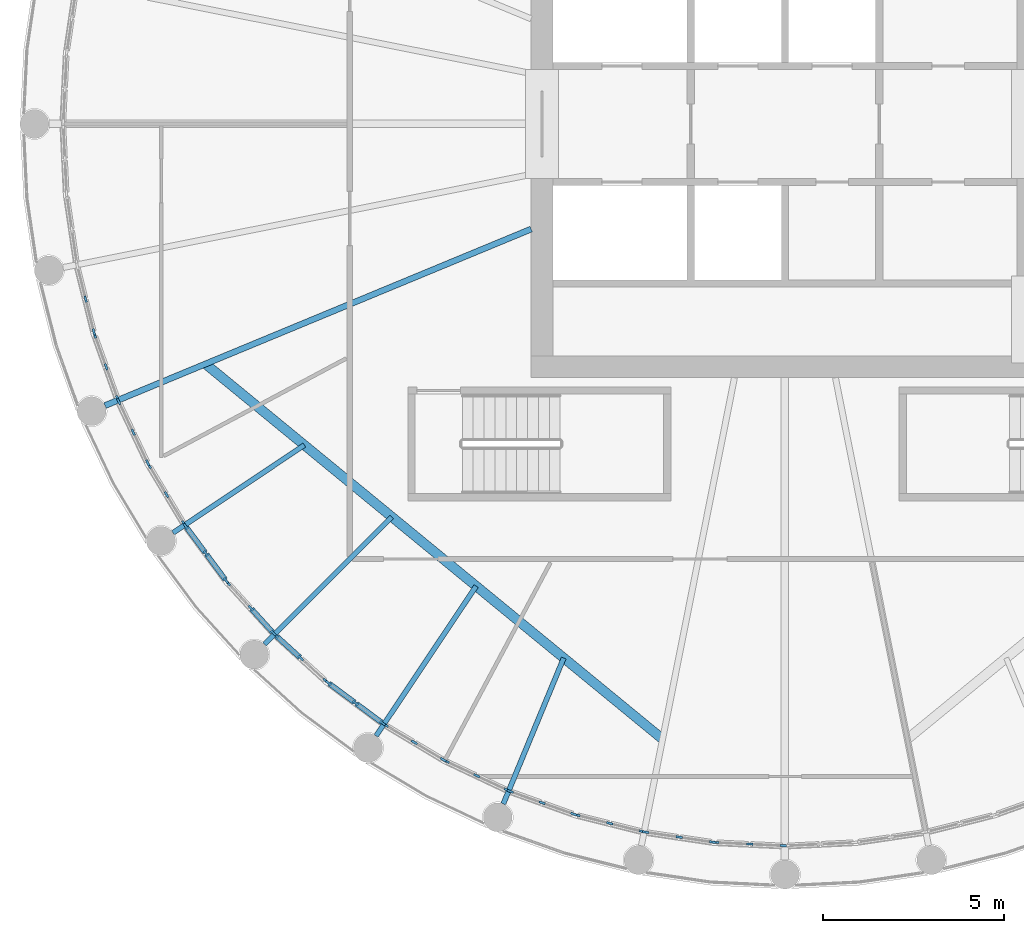
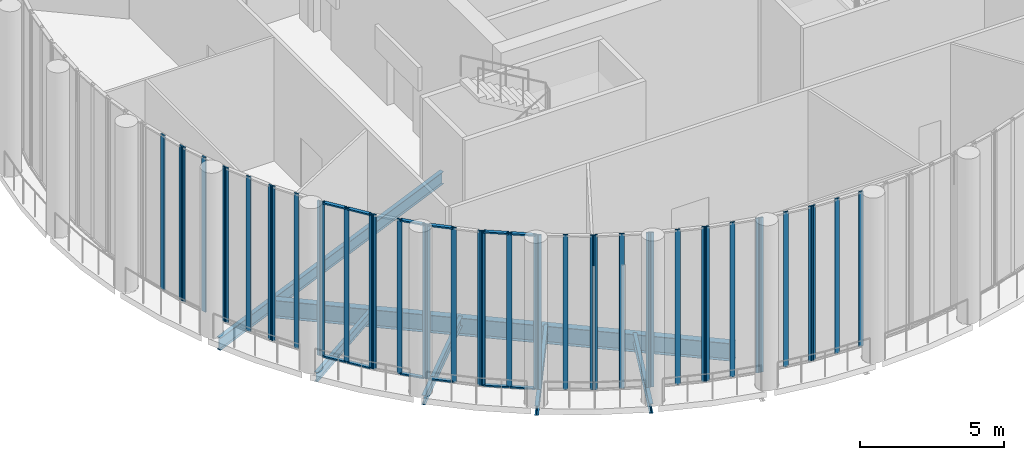
# One storey, part 2 of 21: 53 members, 6 beams, 14 elements without a shape of their own.
"""IFC4 building model written with IfcOpenShell, lengths in metres."""

from ifc_helpers import new_model, si_unit, direction, frame, origin, origin_2d, place, context, subcontext, project, spatial, rectangle, i_section, extrude, material, material_profile, profile_set, type_object, element, aggregate, save


model = new_model("IFC4")

# Units and contexts
model_context = context("Model", 3, precision=1e-05, world=origin(), true_north=direction((0.0, 1.0)))
body_context = subcontext(model_context, "Body", "Model", "MODEL_VIEW")
ifc_project = project(units=[si_unit("LENGTHUNIT", "METRE"), si_unit("AREAUNIT", "SQUARE_METRE"), si_unit("VOLUMEUNIT", "CUBIC_METRE"), si_unit("PLANEANGLEUNIT", "RADIAN"), si_unit("MASSUNIT", "GRAM", prefix="KILO")], contexts=[model_context])

# Site, building, storey
site_placement = place(None, origin())
site = spatial("IfcSite", under=ifc_project, at=site_placement, CompositionType="ELEMENT")
building_placement = place(site_placement, origin())
building = spatial("IfcBuilding", under=site, at=building_placement, Name="Corvane Civic Tower", CompositionType="ELEMENT")
storey_placement = place(building_placement, frame((0.0, 0.0, 380.5)))
storey = spatial("IfcBuildingStorey", under=building, at=storey_placement, Name="L91", CompositionType="ELEMENT", Elevation=380.5)

# Curtain wall, members
ifc_material_1 = material(Name="Aluminium and glass", Category="aluminium")
curtain_wall_type = type_object("IfcCurtainWallType", Name="CROWN-CW-O-RUN", PredefinedType="NOTDEFINED", material=ifc_material_1)
curtain_wall_1_placement = place(storey_placement, origin())
curtain_wall_1 = element("IfcCurtainWall", 1, at=curtain_wall_1_placement, inside=storey, type_object=curtain_wall_type, Name="CW-O run L91 19", PredefinedType="NOTDEFINED")
ifc_material_2 = material(Name="Anodised aluminium bronze", Category="aluminium")
ifc_material_profile_1 = material_profile(ifc_material_2, rectangle(XDim=0.06005859375, YDim=0.179931640625, at=origin_2d()), Name="AL 60x180")
ifc_profile_set_1 = profile_set([ifc_material_profile_1], Name="Anodised aluminium bronze")
member_type_1 = type_object("IfcMemberType", Name="CROWN-CWO-MULLION-60x180", PredefinedType="MULLION", material=ifc_profile_set_1)
member_1_placement = place(storey_placement, frame((-19.2900390625, -4.831787109375, 0.0), z_axis=(0.0, 0.0, 1.0), x_axis=(0.970038385347, 0.242951704982, 0.0)))
member_1 = element("IfcMember", 2, at=member_1_placement, type_object=member_type_1, Name="CW-O mullion 2", PredefinedType="MULLION", context=body_context, shape_type="SweptSolid", body=[
    extrude(rectangle(XDim=0.06005859375, YDim=0.179931640625, at=origin_2d()), origin(), (0.0, 0.0, 1.0), 6.550048828125),
])
member_2_placement = place(storey_placement, frame((-19.063720703125, -5.7353515625, 0.0), z_axis=(0.0, 0.0, 1.0), x_axis=(0.970038385347, 0.242951704982, 0.0)))
member_2 = element("IfcMember", 3, at=member_2_placement, type_object=member_type_1, Name="CW-O mullion 3", PredefinedType="MULLION", context=body_context, shape_type="SweptSolid", body=[
    extrude(rectangle(XDim=0.06005859375, YDim=0.179931640625, at=origin_2d()), origin(), (0.0, 0.0, 1.0), 6.550048828125),
])
aggregate(curtain_wall_1, [member_1, member_2])

curtain_wall_2_placement = place(storey_placement, origin())
curtain_wall_2 = element("IfcCurtainWall", 4, at=curtain_wall_2_placement, inside=storey, type_object=curtain_wall_type, Name="CW-O run L91 20", PredefinedType="NOTDEFINED")
member_3_placement = place(storey_placement, frame((-19.037353515625, -5.822509765625, 0.0), z_axis=(0.0, 0.0, 1.0), x_axis=(0.941511051216, 0.336982106999, 0.0)))
member_3 = element("IfcMember", 5, at=member_3_placement, type_object=member_type_1, Name="CW-O mullion 1", PredefinedType="MULLION", context=body_context, shape_type="SweptSolid", body=[
    extrude(rectangle(XDim=0.06005859375, YDim=0.179931640625, at=origin_2d()), origin(), (0.0, 0.0, 1.0), 6.550048828125),
])
member_4_placement = place(storey_placement, frame((-18.723388671875, -6.69921875, 0.0), z_axis=(0.0, 0.0, 1.0), x_axis=(0.941511051216, 0.336982106999, 0.0)))
member_4 = element("IfcMember", 6, at=member_4_placement, type_object=member_type_1, Name="CW-O mullion 2", PredefinedType="MULLION", context=body_context, shape_type="SweptSolid", body=[
    extrude(rectangle(XDim=0.06005859375, YDim=0.179931640625, at=origin_2d()), origin(), (0.0, 0.0, 1.0), 6.550048828125),
])
member_5_placement = place(storey_placement, frame((-18.40966796875, -7.576171875, 0.0), z_axis=(0.0, 0.0, 1.0), x_axis=(0.941511051216, 0.336982106999, 0.0)))
member_5 = element("IfcMember", 7, at=member_5_placement, type_object=member_type_1, Name="CW-O mullion 3", PredefinedType="MULLION", context=body_context, shape_type="SweptSolid", body=[
    extrude(rectangle(XDim=0.06005859375, YDim=0.179931640625, at=origin_2d()), origin(), (0.0, 0.0, 1.0), 6.550048828125),
])
aggregate(curtain_wall_2, [member_3, member_4, member_5])

curtain_wall_3_placement = place(storey_placement, origin())
curtain_wall_3 = element("IfcCurtainWall", 8, at=curtain_wall_3_placement, inside=storey, type_object=curtain_wall_type, Name="CW-O run L91 21", PredefinedType="NOTDEFINED")
member_6_placement = place(storey_placement, frame((-18.374755859375, -7.660400390625, 0.0), z_axis=(0.0, 0.0, 1.0), x_axis=(0.904010875684, 0.427509457959, 0.0)))
member_6 = element("IfcMember", 9, at=member_6_placement, type_object=member_type_1, Name="CW-O mullion 1", PredefinedType="MULLION", context=body_context, shape_type="SweptSolid", body=[
    extrude(rectangle(XDim=0.06005859375, YDim=0.179931640625, at=origin_2d()), origin(), (0.0, 0.0, 1.0), 6.550048828125),
])
member_7_placement = place(storey_placement, frame((-17.9765625, -8.502197265625, 0.0), z_axis=(0.0, 0.0, 1.0), x_axis=(0.904010875684, 0.427509457959, 0.0)))
member_7 = element("IfcMember", 10, at=member_7_placement, type_object=member_type_1, Name="CW-O mullion 2", PredefinedType="MULLION", context=body_context, shape_type="SweptSolid", body=[
    extrude(rectangle(XDim=0.06005859375, YDim=0.179931640625, at=origin_2d()), origin(), (0.0, 0.0, 1.0), 6.550048828125),
])
member_8_placement = place(storey_placement, frame((-17.578369140625, -9.34423828125, 0.0), z_axis=(0.0, 0.0, 1.0), x_axis=(0.904010875684, 0.427509457959, 0.0)))
member_8 = element("IfcMember", 11, at=member_8_placement, type_object=member_type_1, Name="CW-O mullion 3", PredefinedType="MULLION", context=body_context, shape_type="SweptSolid", body=[
    extrude(rectangle(XDim=0.06005859375, YDim=0.179931640625, at=origin_2d()), origin(), (0.0, 0.0, 1.0), 6.550048828125),
])
aggregate(curtain_wall_3, [member_6, member_7, member_8])

curtain_wall_4_placement = place(storey_placement, origin())
curtain_wall_4 = element("IfcCurtainWall", 12, at=curtain_wall_4_placement, inside=storey, type_object=curtain_wall_type, Name="CW-O run L91 22", PredefinedType="NOTDEFINED")
member_9_placement = place(storey_placement, frame((-17.53564453125, -9.424560546875, 0.0), z_axis=(0.0, 0.0, 1.0), x_axis=(0.857699380043, 0.514151508287, 0.0)))
member_9 = element("IfcMember", 13, at=member_9_placement, type_object=member_type_1, Name="CW-O mullion 1", PredefinedType="MULLION", context=body_context, shape_type="SweptSolid", body=[
    extrude(rectangle(XDim=0.06005859375, YDim=0.179931640625, at=origin_2d()), origin(), (0.0, 0.0, 1.0), 6.550048828125),
])
member_10_placement = place(storey_placement, frame((-17.056640625, -10.223388671875, 0.0), z_axis=(0.0, 0.0, 1.0), x_axis=(0.857699380043, 0.514151508287, 0.0)))
member_10 = element("IfcMember", 14, at=member_10_placement, type_object=member_type_1, Name="CW-O mullion 2", PredefinedType="MULLION", context=body_context, shape_type="SweptSolid", body=[
    extrude(rectangle(XDim=0.06005859375, YDim=0.179931640625, at=origin_2d()), origin(), (0.0, 0.0, 1.0), 6.550048828125),
])
member_11_placement = place(storey_placement, frame((-16.577880859375, -11.022216796875, 0.0), z_axis=(0.0, 0.0, 1.0), x_axis=(0.857699380043, 0.514151508287, 0.0)))
member_11 = element("IfcMember", 15, at=member_11_placement, type_object=member_type_1, Name="CW-O mullion 3", PredefinedType="MULLION", context=body_context, shape_type="SweptSolid", body=[
    extrude(rectangle(XDim=0.06005859375, YDim=0.179931640625, at=origin_2d()), origin(), (0.0, 0.0, 1.0), 6.550048828125),
])
aggregate(curtain_wall_4, [member_9, member_10, member_11])

curtain_wall_5_placement = place(storey_placement, origin())
curtain_wall_5 = element("IfcCurtainWall", 16, at=curtain_wall_5_placement, inside=storey, type_object=curtain_wall_type, Name="CW-O run L91 23", PredefinedType="NOTDEFINED")
member_12_placement = place(storey_placement, frame((-16.52734375, -11.097900390625, 0.0), z_axis=(0.0, 0.0, 1.0), x_axis=(0.803190345058, 0.595722477003, 0.0)))
member_12 = element("IfcMember", 17, at=member_12_placement, type_object=member_type_1, Name="CW-O mullion 1", PredefinedType="MULLION", context=body_context, shape_type="SweptSolid", body=[
    extrude(rectangle(XDim=0.06005859375, YDim=0.179931640625, at=origin_2d()), origin(), (0.0, 0.0, 1.0), 6.550048828125),
])
member_13_placement = place(storey_placement, frame((-15.972412109375, -11.845947265625, 0.0), z_axis=(0.0, 0.0, 1.0), x_axis=(0.803190345058, 0.595722477003, 0.0)))
member_13 = element("IfcMember", 18, at=member_13_placement, type_object=member_type_1, Name="CW-O mullion 2", PredefinedType="MULLION", context=body_context, shape_type="SweptSolid", body=[
    extrude(rectangle(XDim=0.06005859375, YDim=0.179931640625, at=origin_2d()), origin(), (0.0, 0.0, 1.0), 6.550048828125),
])
member_14_placement = place(storey_placement, frame((-15.417724609375, -12.593994140625, 0.0), z_axis=(0.0, 0.0, 1.0), x_axis=(0.803190345058, 0.595722477003, 0.0)))
member_14 = element("IfcMember", 19, at=member_14_placement, type_object=member_type_1, Name="CW-O mullion 3", PredefinedType="MULLION", context=body_context, shape_type="SweptSolid", body=[
    extrude(rectangle(XDim=0.06005859375, YDim=0.179931640625, at=origin_2d()), origin(), (0.0, 0.0, 1.0), 6.550048828125),
])

curtain_wall_6_placement = place(storey_placement, origin())
curtain_wall_6 = element("IfcCurtainWall", 20, at=curtain_wall_6_placement, inside=storey, type_object=curtain_wall_type, Name="CW-O run L91 24", PredefinedType="NOTDEFINED")
member_15_placement = place(storey_placement, frame((-15.35986328125, -12.664306640625, 0.0), z_axis=(0.0, 0.0, 1.0), x_axis=(0.740944089448, 0.671566717692, 0.0)))
member_15 = element("IfcMember", 21, at=member_15_placement, type_object=member_type_1, Name="CW-O mullion 1", PredefinedType="MULLION", context=body_context, shape_type="SweptSolid", body=[
    extrude(rectangle(XDim=0.06005859375, YDim=0.179931640625, at=origin_2d()), origin(), (0.0, 0.0, 1.0), 6.550048828125),
])
member_16_placement = place(storey_placement, frame((-14.734375, -13.3544921875, 0.0), z_axis=(0.0, 0.0, 1.0), x_axis=(0.740944089448, 0.671566717692, 0.0)))
member_16 = element("IfcMember", 22, at=member_16_placement, type_object=member_type_1, Name="CW-O mullion 2", PredefinedType="MULLION", context=body_context, shape_type="SweptSolid", body=[
    extrude(rectangle(XDim=0.06005859375, YDim=0.179931640625, at=origin_2d()), origin(), (0.0, 0.0, 1.0), 6.550048828125),
])
member_17_placement = place(storey_placement, frame((-14.10888671875, -14.044677734375, 0.0), z_axis=(0.0, 0.0, 1.0), x_axis=(0.740944089448, 0.671566717692, 0.0)))
member_17 = element("IfcMember", 23, at=member_17_placement, type_object=member_type_1, Name="CW-O mullion 3", PredefinedType="MULLION", context=body_context, shape_type="SweptSolid", body=[
    extrude(rectangle(XDim=0.06005859375, YDim=0.179931640625, at=origin_2d()), origin(), (0.0, 0.0, 1.0), 6.550048828125),
])

curtain_wall_7_placement = place(storey_placement, origin())
curtain_wall_7 = element("IfcCurtainWall", 24, at=curtain_wall_7_placement, inside=storey, type_object=curtain_wall_type, Name="CW-O run L91 25", PredefinedType="NOTDEFINED")
member_18_placement = place(storey_placement, frame((-14.044677734375, -14.10888671875, 0.0), z_axis=(0.0, 0.0, 1.0), x_axis=(0.671566717692, 0.740944089448, 0.0)))
member_18 = element("IfcMember", 25, at=member_18_placement, type_object=member_type_1, Name="CW-O mullion 1", PredefinedType="MULLION", context=body_context, shape_type="SweptSolid", body=[
    extrude(rectangle(XDim=0.06005859375, YDim=0.179931640625, at=origin_2d()), origin(), (0.0, 0.0, 1.0), 6.550048828125),
])
member_19_placement = place(storey_placement, frame((-13.3544921875, -14.734375, 0.0), z_axis=(0.0, 0.0, 1.0), x_axis=(0.671566717692, 0.740944089448, 0.0)))
member_19 = element("IfcMember", 26, at=member_19_placement, type_object=member_type_1, Name="CW-O mullion 2", PredefinedType="MULLION", context=body_context, shape_type="SweptSolid", body=[
    extrude(rectangle(XDim=0.06005859375, YDim=0.179931640625, at=origin_2d()), origin(), (0.0, 0.0, 1.0), 6.550048828125),
])
member_20_placement = place(storey_placement, frame((-12.664306640625, -15.35986328125, 0.0), z_axis=(0.0, 0.0, 1.0), x_axis=(0.671566717692, 0.740944089448, 0.0)))
member_20 = element("IfcMember", 27, at=member_20_placement, type_object=member_type_1, Name="CW-O mullion 3", PredefinedType="MULLION", context=body_context, shape_type="SweptSolid", body=[
    extrude(rectangle(XDim=0.06005859375, YDim=0.179931640625, at=origin_2d()), origin(), (0.0, 0.0, 1.0), 6.550048828125),
])

curtain_wall_8_placement = place(storey_placement, origin())
curtain_wall_8 = element("IfcCurtainWall", 28, at=curtain_wall_8_placement, inside=storey, type_object=curtain_wall_type, Name="CW-O run L91 26", PredefinedType="NOTDEFINED")
member_21_placement = place(storey_placement, frame((-12.593994140625, -15.417724609375, 0.0), z_axis=(0.0, 0.0, 1.0), x_axis=(0.595722477003, 0.803190345058, 0.0)))
member_21 = element("IfcMember", 29, at=member_21_placement, type_object=member_type_1, Name="CW-O mullion 1", PredefinedType="MULLION", context=body_context, shape_type="SweptSolid", body=[
    extrude(rectangle(XDim=0.06005859375, YDim=0.179931640625, at=origin_2d()), origin(), (0.0, 0.0, 1.0), 6.550048828125),
])
member_22_placement = place(storey_placement, frame((-11.845947265625, -15.972412109375, 0.0), z_axis=(0.0, 0.0, 1.0), x_axis=(0.595722477003, 0.803190345058, 0.0)))
member_22 = element("IfcMember", 30, at=member_22_placement, type_object=member_type_1, Name="CW-O mullion 2", PredefinedType="MULLION", context=body_context, shape_type="SweptSolid", body=[
    extrude(rectangle(XDim=0.06005859375, YDim=0.179931640625, at=origin_2d()), origin(), (0.0, 0.0, 1.0), 6.550048828125),
])
member_23_placement = place(storey_placement, frame((-11.097900390625, -16.52734375, 0.0), z_axis=(0.0, 0.0, 1.0), x_axis=(0.595722477003, 0.803190345058, 0.0)))
member_23 = element("IfcMember", 31, at=member_23_placement, type_object=member_type_1, Name="CW-O mullion 3", PredefinedType="MULLION", context=body_context, shape_type="SweptSolid", body=[
    extrude(rectangle(XDim=0.06005859375, YDim=0.179931640625, at=origin_2d()), origin(), (0.0, 0.0, 1.0), 6.550048828125),
])

curtain_wall_9_placement = place(storey_placement, origin())
curtain_wall_9 = element("IfcCurtainWall", 32, at=curtain_wall_9_placement, inside=storey, type_object=curtain_wall_type, Name="CW-O run L91 27", PredefinedType="NOTDEFINED")
member_24_placement = place(storey_placement, frame((-11.022216796875, -16.577880859375, 0.0), z_axis=(0.0, 0.0, 1.0), x_axis=(0.514151508287, 0.857699380043, 0.0)))
member_24 = element("IfcMember", 33, at=member_24_placement, type_object=member_type_1, Name="CW-O mullion 1", PredefinedType="MULLION", context=body_context, shape_type="SweptSolid", body=[
    extrude(rectangle(XDim=0.06005859375, YDim=0.179931640625, at=origin_2d()), origin(), (0.0, 0.0, 1.0), 6.550048828125),
])
member_25_placement = place(storey_placement, frame((-10.223388671875, -17.056640625, 0.0), z_axis=(0.0, 0.0, 1.0), x_axis=(0.514151508287, 0.857699380043, 0.0)))
member_25 = element("IfcMember", 34, at=member_25_placement, type_object=member_type_1, Name="CW-O mullion 2", PredefinedType="MULLION", context=body_context, shape_type="SweptSolid", body=[
    extrude(rectangle(XDim=0.06005859375, YDim=0.179931640625, at=origin_2d()), origin(), (0.0, 0.0, 1.0), 6.550048828125),
])
member_26_placement = place(storey_placement, frame((-9.424560546875, -17.53564453125, 0.0), z_axis=(0.0, 0.0, 1.0), x_axis=(0.514151508287, 0.857699380043, 0.0)))
member_26 = element("IfcMember", 35, at=member_26_placement, type_object=member_type_1, Name="CW-O mullion 3", PredefinedType="MULLION", context=body_context, shape_type="SweptSolid", body=[
    extrude(rectangle(XDim=0.06005859375, YDim=0.179931640625, at=origin_2d()), origin(), (0.0, 0.0, 1.0), 6.550048828125),
])
aggregate(curtain_wall_9, [member_24, member_25, member_26])

curtain_wall_10_placement = place(storey_placement, origin())
curtain_wall_10 = element("IfcCurtainWall", 36, at=curtain_wall_10_placement, inside=storey, type_object=curtain_wall_type, Name="CW-O run L91 28", PredefinedType="NOTDEFINED")
member_27_placement = place(storey_placement, frame((-9.34423828125, -17.578369140625, 0.0), z_axis=(0.0, 0.0, 1.0), x_axis=(0.427509457959, 0.904010875684, 0.0)))
member_27 = element("IfcMember", 37, at=member_27_placement, type_object=member_type_1, Name="CW-O mullion 1", PredefinedType="MULLION", context=body_context, shape_type="SweptSolid", body=[
    extrude(rectangle(XDim=0.06005859375, YDim=0.179931640625, at=origin_2d()), origin(), (0.0, 0.0, 1.0), 6.550048828125),
])
member_28_placement = place(storey_placement, frame((-8.502197265625, -17.9765625, 0.0), z_axis=(0.0, 0.0, 1.0), x_axis=(0.427509457959, 0.904010875684, 0.0)))
member_28 = element("IfcMember", 38, at=member_28_placement, type_object=member_type_1, Name="CW-O mullion 2", PredefinedType="MULLION", context=body_context, shape_type="SweptSolid", body=[
    extrude(rectangle(XDim=0.06005859375, YDim=0.179931640625, at=origin_2d()), origin(), (0.0, 0.0, 1.0), 6.550048828125),
])
member_29_placement = place(storey_placement, frame((-7.660400390625, -18.374755859375, 0.0), z_axis=(0.0, 0.0, 1.0), x_axis=(0.427509457959, 0.904010875684, 0.0)))
member_29 = element("IfcMember", 39, at=member_29_placement, type_object=member_type_1, Name="CW-O mullion 3", PredefinedType="MULLION", context=body_context, shape_type="SweptSolid", body=[
    extrude(rectangle(XDim=0.06005859375, YDim=0.179931640625, at=origin_2d()), origin(), (0.0, 0.0, 1.0), 6.550048828125),
])
aggregate(curtain_wall_10, [member_27, member_28, member_29])

curtain_wall_11_placement = place(storey_placement, origin())
curtain_wall_11 = element("IfcCurtainWall", 40, at=curtain_wall_11_placement, inside=storey, type_object=curtain_wall_type, Name="CW-O run L91 29", PredefinedType="NOTDEFINED")
member_30_placement = place(storey_placement, frame((-7.576171875, -18.40966796875, 0.0), z_axis=(0.0, 0.0, 1.0), x_axis=(0.336982106999, 0.941511051216, 0.0)))
member_30 = element("IfcMember", 41, at=member_30_placement, type_object=member_type_1, Name="CW-O mullion 1", PredefinedType="MULLION", context=body_context, shape_type="SweptSolid", body=[
    extrude(rectangle(XDim=0.06005859375, YDim=0.179931640625, at=origin_2d()), origin(), (0.0, 0.0, 1.0), 6.550048828125),
])
member_31_placement = place(storey_placement, frame((-6.69921875, -18.723388671875, 0.0), z_axis=(0.0, 0.0, 1.0), x_axis=(0.336982106999, 0.941511051216, 0.0)))
member_31 = element("IfcMember", 42, at=member_31_placement, type_object=member_type_1, Name="CW-O mullion 2", PredefinedType="MULLION", context=body_context, shape_type="SweptSolid", body=[
    extrude(rectangle(XDim=0.06005859375, YDim=0.179931640625, at=origin_2d()), origin(), (0.0, 0.0, 1.0), 6.550048828125),
])
member_32_placement = place(storey_placement, frame((-5.822509765625, -19.037353515625, 0.0), z_axis=(0.0, 0.0, 1.0), x_axis=(0.336982106999, 0.941511051216, 0.0)))
member_32 = element("IfcMember", 43, at=member_32_placement, type_object=member_type_1, Name="CW-O mullion 3", PredefinedType="MULLION", context=body_context, shape_type="SweptSolid", body=[
    extrude(rectangle(XDim=0.06005859375, YDim=0.179931640625, at=origin_2d()), origin(), (0.0, 0.0, 1.0), 6.550048828125),
])
aggregate(curtain_wall_11, [member_30, member_31, member_32])

curtain_wall_12_placement = place(storey_placement, origin())
curtain_wall_12 = element("IfcCurtainWall", 44, at=curtain_wall_12_placement, inside=storey, type_object=curtain_wall_type, Name="CW-O run L91 30", PredefinedType="NOTDEFINED")
member_33_placement = place(storey_placement, frame((-5.7353515625, -19.063720703125, 0.0), z_axis=(0.0, 0.0, 1.0), x_axis=(0.242951704982, 0.970038385347, 0.0)))
member_33 = element("IfcMember", 45, at=member_33_placement, type_object=member_type_1, Name="CW-O mullion 1", PredefinedType="MULLION", context=body_context, shape_type="SweptSolid", body=[
    extrude(rectangle(XDim=0.06005859375, YDim=0.179931640625, at=origin_2d()), origin(), (0.0, 0.0, 1.0), 6.550048828125),
])
member_34_placement = place(storey_placement, frame((-4.831787109375, -19.2900390625, 0.0), z_axis=(0.0, 0.0, 1.0), x_axis=(0.242951704982, 0.970038385347, 0.0)))
member_34 = element("IfcMember", 46, at=member_34_placement, type_object=member_type_1, Name="CW-O mullion 2", PredefinedType="MULLION", context=body_context, shape_type="SweptSolid", body=[
    extrude(rectangle(XDim=0.06005859375, YDim=0.179931640625, at=origin_2d()), origin(), (0.0, 0.0, 1.0), 6.550048828125),
])
member_35_placement = place(storey_placement, frame((-3.928466796875, -19.516357421875, 0.0), z_axis=(0.0, 0.0, 1.0), x_axis=(0.242951704982, 0.970038385347, 0.0)))
member_35 = element("IfcMember", 47, at=member_35_placement, type_object=member_type_1, Name="CW-O mullion 3", PredefinedType="MULLION", context=body_context, shape_type="SweptSolid", body=[
    extrude(rectangle(XDim=0.06005859375, YDim=0.179931640625, at=origin_2d()), origin(), (0.0, 0.0, 1.0), 6.550048828125),
])
aggregate(curtain_wall_12, [member_33, member_34, member_35])

curtain_wall_13_placement = place(storey_placement, origin())
curtain_wall_13 = element("IfcCurtainWall", 48, at=curtain_wall_13_placement, inside=storey, type_object=curtain_wall_type, Name="CW-O run L91 31", PredefinedType="NOTDEFINED")
member_36_placement = place(storey_placement, frame((-3.839111328125, -19.533935546875, 0.0), z_axis=(0.0, 0.0, 1.0), x_axis=(0.146771076941, 0.989170486303, 0.0)))
member_36 = element("IfcMember", 49, at=member_36_placement, type_object=member_type_1, Name="CW-O mullion 1", PredefinedType="MULLION", context=body_context, shape_type="SweptSolid", body=[
    extrude(rectangle(XDim=0.06005859375, YDim=0.179931640625, at=origin_2d()), origin(), (0.0, 0.0, 1.0), 6.550048828125),
])
member_37_placement = place(storey_placement, frame((-2.91796875, -19.670654296875, 0.0), z_axis=(0.0, 0.0, 1.0), x_axis=(0.146771076941, 0.989170486303, 0.0)))
member_37 = element("IfcMember", 50, at=member_37_placement, type_object=member_type_1, Name="CW-O mullion 2", PredefinedType="MULLION", context=body_context, shape_type="SweptSolid", body=[
    extrude(rectangle(XDim=0.06005859375, YDim=0.179931640625, at=origin_2d()), origin(), (0.0, 0.0, 1.0), 6.550048828125),
])
member_38_placement = place(storey_placement, frame((-1.99658203125, -19.807373046875, 0.0), z_axis=(0.0, 0.0, 1.0), x_axis=(0.146771076941, 0.989170486303, 0.0)))
member_38 = element("IfcMember", 51, at=member_38_placement, type_object=member_type_1, Name="CW-O mullion 3", PredefinedType="MULLION", context=body_context, shape_type="SweptSolid", body=[
    extrude(rectangle(XDim=0.06005859375, YDim=0.179931640625, at=origin_2d()), origin(), (0.0, 0.0, 1.0), 6.550048828125),
])
aggregate(curtain_wall_13, [member_36, member_37, member_38])

curtain_wall_14_placement = place(storey_placement, origin())
curtain_wall_14 = element("IfcCurtainWall", 52, at=curtain_wall_14_placement, inside=storey, type_object=curtain_wall_type, Name="CW-O run L91 32", PredefinedType="NOTDEFINED")
member_39_placement = place(storey_placement, frame((-1.90625, -19.81640625, 0.0), z_axis=(0.0, 0.0, 1.0), x_axis=(0.048990829113, 0.998799228405, 0.0)))
member_39 = element("IfcMember", 53, at=member_39_placement, type_object=member_type_1, Name="CW-O mullion 1", PredefinedType="MULLION", context=body_context, shape_type="SweptSolid", body=[
    extrude(rectangle(XDim=0.06005859375, YDim=0.179931640625, at=origin_2d()), origin(), (0.0, 0.0, 1.0), 6.550048828125),
])
member_40_placement = place(storey_placement, frame((-0.975830078125, -19.862060546875, 0.0), z_axis=(0.0, 0.0, 1.0), x_axis=(0.048990829113, 0.998799228405, 0.0)))
member_40 = element("IfcMember", 54, at=member_40_placement, type_object=member_type_1, Name="CW-O mullion 2", PredefinedType="MULLION", context=body_context, shape_type="SweptSolid", body=[
    extrude(rectangle(XDim=0.06005859375, YDim=0.179931640625, at=origin_2d()), origin(), (0.0, 0.0, 1.0), 6.550048828125),
])
member_41_placement = place(storey_placement, frame((-0.045654296875, -19.90771484375, 0.0), z_axis=(0.0, 0.0, 1.0), x_axis=(0.048990829113, 0.998799228405, 0.0)))
member_41 = element("IfcMember", 55, at=member_41_placement, type_object=member_type_1, Name="CW-O mullion 3", PredefinedType="MULLION", context=body_context, shape_type="SweptSolid", body=[
    extrude(rectangle(XDim=0.06005859375, YDim=0.179931640625, at=origin_2d()), origin(), (0.0, 0.0, 1.0), 6.550048828125),
])
aggregate(curtain_wall_14, [member_39, member_40, member_41])

# Member
ifc_material_3 = material(Name="Anodised aluminium bronze", Category="aluminium")
ifc_material_profile_2 = material_profile(ifc_material_3, rectangle(XDim=0.139892578125, YDim=0.06005859375, at=origin_2d()), Name="AL 140x60")
ifc_profile_set_2 = profile_set([ifc_material_profile_2], Name="Anodised aluminium bronze")
member_type_2 = type_object("IfcMemberType", Name="CROWN-CWO-TRANSOM-60x140", PredefinedType="USERDEFINED", material=ifc_profile_set_2)
member_42_placement = place(storey_placement, frame((-16.509521484375, -11.1220703125, 0.030029296875), z_axis=(0.595776957512, -0.803149934257, 0.0), x_axis=(0.803149934257, 0.595776957512, 0.0)))
member_42 = element("IfcMember", 56, at=member_42_placement, type_object=member_type_2, Name="CW-O transom 1.1", ObjectType="TRANSOM", PredefinedType="USERDEFINED", context=body_context, shape_type="SweptSolid", body=[
    extrude(rectangle(XDim=0.139892578125, YDim=0.06005859375, at=origin_2d()), origin(), (0.0, 0.0, 1.0), 0.87109375),
])

member_43_placement = place(storey_placement, frame((-16.509521484375, -11.1220703125, 6.52001953125), z_axis=(0.595776957512, -0.803149934257, 0.0), x_axis=(0.803149934257, 0.595776957512, 0.0)))
member_43 = element("IfcMember", 57, at=member_43_placement, type_object=member_type_2, Name="CW-O transom 1.2", ObjectType="TRANSOM", PredefinedType="USERDEFINED", context=body_context, shape_type="SweptSolid", body=[
    extrude(rectangle(XDim=0.139892578125, YDim=0.06005859375, at=origin_2d()), origin(), (0.0, 0.0, 1.0), 0.87109375),
])

member_44_placement = place(storey_placement, frame((-15.95458984375, -11.8701171875, 0.030029296875), z_axis=(0.595776957512, -0.803149934257, 0.0), x_axis=(0.803149934257, 0.595776957512, 0.0)))
member_44 = element("IfcMember", 58, at=member_44_placement, type_object=member_type_2, Name="CW-O transom 2.1", ObjectType="TRANSOM", PredefinedType="USERDEFINED", context=body_context, shape_type="SweptSolid", body=[
    extrude(rectangle(XDim=0.139892578125, YDim=0.06005859375, at=origin_2d()), origin(), (0.0, 0.0, 1.0), 0.87109375),
])

member_45_placement = place(storey_placement, frame((-15.95458984375, -11.8701171875, 6.52001953125), z_axis=(0.595776957512, -0.803149934257, 0.0), x_axis=(0.803149934257, 0.595776957512, 0.0)))
member_45 = element("IfcMember", 59, at=member_45_placement, type_object=member_type_2, Name="CW-O transom 2.2", ObjectType="TRANSOM", PredefinedType="USERDEFINED", context=body_context, shape_type="SweptSolid", body=[
    extrude(rectangle(XDim=0.139892578125, YDim=0.06005859375, at=origin_2d()), origin(), (0.0, 0.0, 1.0), 0.87109375),
])

aggregate(curtain_wall_5, [member_12, member_13, member_14, member_42, member_43, member_44, member_45])

member_46_placement = place(storey_placement, frame((-14.71435546875, -13.376708984375, 0.030029296875), z_axis=(0.671514617897, -0.740991307608, 0.0), x_axis=(0.740991307608, 0.671514617897, 0.0)))
member_46 = element("IfcMember", 60, at=member_46_placement, type_object=member_type_2, Name="CW-O transom 2.1", ObjectType="TRANSOM", PredefinedType="USERDEFINED", context=body_context, shape_type="SweptSolid", body=[
    extrude(rectangle(XDim=0.139892578125, YDim=0.06005859375, at=origin_2d()), origin(), (0.0, 0.0, 1.0), 0.87158203125),
])

member_47_placement = place(storey_placement, frame((-14.71435546875, -13.376708984375, 6.52001953125), z_axis=(0.671514617897, -0.740991307608, 0.0), x_axis=(0.740991307608, 0.671514617897, 0.0)))
member_47 = element("IfcMember", 61, at=member_47_placement, type_object=member_type_2, Name="CW-O transom 2.2", ObjectType="TRANSOM", PredefinedType="USERDEFINED", context=body_context, shape_type="SweptSolid", body=[
    extrude(rectangle(XDim=0.139892578125, YDim=0.06005859375, at=origin_2d()), origin(), (0.0, 0.0, 1.0), 0.87158203125),
])

aggregate(curtain_wall_6, [member_15, member_16, member_17, member_46, member_47])

member_48_placement = place(storey_placement, frame((-14.0224609375, -14.129150390625, 0.030029296875), z_axis=(0.740991307608, -0.671514617897, 0.0), x_axis=(0.671514617897, 0.740991307608, 0.0)))
member_48 = element("IfcMember", 62, at=member_48_placement, type_object=member_type_2, Name="CW-O transom 1.1", ObjectType="TRANSOM", PredefinedType="USERDEFINED", context=body_context, shape_type="SweptSolid", body=[
    extrude(rectangle(XDim=0.139892578125, YDim=0.06005859375, at=origin_2d()), origin(), (0.0, 0.0, 1.0), 0.87158203125),
])

member_49_placement = place(storey_placement, frame((-14.0224609375, -14.129150390625, 6.52001953125), z_axis=(0.740991307608, -0.671514617897, 0.0), x_axis=(0.671514617897, 0.740991307608, 0.0)))
member_49 = element("IfcMember", 63, at=member_49_placement, type_object=member_type_2, Name="CW-O transom 1.2", ObjectType="TRANSOM", PredefinedType="USERDEFINED", context=body_context, shape_type="SweptSolid", body=[
    extrude(rectangle(XDim=0.139892578125, YDim=0.06005859375, at=origin_2d()), origin(), (0.0, 0.0, 1.0), 0.87158203125),
])

aggregate(curtain_wall_7, [member_18, member_19, member_20, member_48, member_49])

member_50_placement = place(storey_placement, frame((-12.56982421875, -15.435546875, 0.030029296875), z_axis=(0.803149934257, -0.595776957512, 0.0), x_axis=(0.595776957512, 0.803149934257, 0.0)))
member_50 = element("IfcMember", 64, at=member_50_placement, type_object=member_type_2, Name="CW-O transom 1.1", ObjectType="TRANSOM", PredefinedType="USERDEFINED", context=body_context, shape_type="SweptSolid", body=[
    extrude(rectangle(XDim=0.139892578125, YDim=0.06005859375, at=origin_2d()), origin(), (0.0, 0.0, 1.0), 0.87109375),
])

member_51_placement = place(storey_placement, frame((-12.56982421875, -15.435546875, 6.52001953125), z_axis=(0.803149934257, -0.595776957512, 0.0), x_axis=(0.595776957512, 0.803149934257, 0.0)))
member_51 = element("IfcMember", 65, at=member_51_placement, type_object=member_type_2, Name="CW-O transom 1.2", ObjectType="TRANSOM", PredefinedType="USERDEFINED", context=body_context, shape_type="SweptSolid", body=[
    extrude(rectangle(XDim=0.139892578125, YDim=0.06005859375, at=origin_2d()), origin(), (0.0, 0.0, 1.0), 0.87109375),
])

member_52_placement = place(storey_placement, frame((-11.82177734375, -15.990478515625, 0.030029296875), z_axis=(0.803149934257, -0.595776957512, 0.0), x_axis=(0.595776957512, 0.803149934257, 0.0)))
member_52 = element("IfcMember", 66, at=member_52_placement, type_object=member_type_2, Name="CW-O transom 2.1", ObjectType="TRANSOM", PredefinedType="USERDEFINED", context=body_context, shape_type="SweptSolid", body=[
    extrude(rectangle(XDim=0.139892578125, YDim=0.06005859375, at=origin_2d()), origin(), (0.0, 0.0, 1.0), 0.87109375),
])

member_53_placement = place(storey_placement, frame((-11.82177734375, -15.990478515625, 6.52001953125), z_axis=(0.803149934257, -0.595776957512, 0.0), x_axis=(0.595776957512, 0.803149934257, 0.0)))
member_53 = element("IfcMember", 67, at=member_53_placement, type_object=member_type_2, Name="CW-O transom 2.2", ObjectType="TRANSOM", PredefinedType="USERDEFINED", context=body_context, shape_type="SweptSolid", body=[
    extrude(rectangle(XDim=0.139892578125, YDim=0.06005859375, at=origin_2d()), origin(), (0.0, 0.0, 1.0), 0.87109375),
])

aggregate(curtain_wall_8, [member_21, member_22, member_23, member_50, member_51, member_52, member_53])

# Beams
ifc_material_4 = material(Name="Steel ASTM A992 Gr 50", Category="steel")
ifc_material_profile_3 = material_profile(ifc_material_4, i_section(OverallWidth=0.140380859375, OverallDepth=0.40380859375, WebThickness=0.007080078125, FlangeThickness=0.01123046875, at=origin_2d()), Name="W16X31")
ifc_profile_set_3 = profile_set([ifc_material_profile_3], Name="Steel ASTM A992 Gr 50")
beam_type_1 = type_object("IfcBeamType", Name="FLOOR GIRDER W16X31", PredefinedType="BEAM", material=ifc_profile_set_3)
beam_1_placement = place(storey_placement, frame((-6.101318359375, -14.729736328125, -0.65185546875), z_axis=(-0.382696596497, -0.923874079639, 0.0), x_axis=(0.923874079639, -0.382696596497, 0.0)))
element("IfcBeam", 68, at=beam_1_placement, inside=storey, type_object=beam_type_1, Name="BM-L91-G19", PredefinedType="BEAM", context=body_context, shape_type="SweptSolid", body=[
    extrude(i_section(OverallWidth=0.140380859375, OverallDepth=0.40380859375, WebThickness=0.007080078125, FlangeThickness=0.01123046875, at=origin_2d()), origin(), (0.0, 0.0, 1.0), 4.3564453125),
])
beam_2_placement = place(storey_placement, frame((-8.51708984375, -12.746826171875, -0.65185546875), z_axis=(-0.555572833015, -0.831467875035, 0.0), x_axis=(0.831467875035, -0.555572833015, 0.0)))
element("IfcBeam", 69, at=beam_2_placement, inside=storey, type_object=beam_type_1, Name="BM-L91-G20", PredefinedType="BEAM", context=body_context, shape_type="SweptSolid", body=[
    extrude(i_section(OverallWidth=0.140380859375, OverallDepth=0.40380859375, WebThickness=0.007080078125, FlangeThickness=0.01123046875, at=origin_2d()), origin(), (0.0, 0.0, 1.0), 4.9697265625),
])
beam_3_placement = place(storey_placement, frame((-10.84033203125, -10.84033203125, -0.65185546875), z_axis=(-0.707106781187, -0.707106781187, 0.0), x_axis=(0.707106781187, -0.707106781187, 0.0)))
element("IfcBeam", 70, at=beam_3_placement, inside=storey, type_object=beam_type_1, Name="BM-L91-G21", PredefinedType="BEAM", context=body_context, shape_type="SweptSolid", body=[
    extrude(i_section(OverallWidth=0.140380859375, OverallDepth=0.40380859375, WebThickness=0.007080078125, FlangeThickness=0.01123046875, at=origin_2d()), origin(), (0.0, 0.0, 1.0), 4.969482421875),
])
beam_4_placement = place(storey_placement, frame((-13.25634765625, -8.857666015625, -0.65185546875), z_axis=(-0.83148086288, -0.555553394972, 0.0), x_axis=(0.555553394972, -0.83148086288, 0.0)))
element("IfcBeam", 71, at=beam_4_placement, inside=storey, type_object=beam_type_1, Name="BM-L91-G22", PredefinedType="BEAM", context=body_context, shape_type="SweptSolid", body=[
    extrude(i_section(OverallWidth=0.140380859375, OverallDepth=0.40380859375, WebThickness=0.007080078125, FlangeThickness=0.01123046875, at=origin_2d()), origin(), (0.0, 0.0, 1.0), 4.356689453125),
])
ifc_material_5 = material(Name="Steel ASTM A992 Gr 50", Category="steel")
ifc_material_profile_4 = material_profile(ifc_material_5, i_section(OverallWidth=0.165771484375, OverallDepth=0.5283203125, WebThickness=0.009765625, FlangeThickness=0.013671875, at=origin_2d()), Name="W21X50")
ifc_profile_set_4 = profile_set([ifc_material_profile_4], Name="Steel ASTM A992 Gr 50")
beam_type_2 = type_object("IfcBeamType", Name="FLOOR GIRDER W21X50", PredefinedType="BEAM", material=ifc_profile_set_4)
beam_5_placement = place(storey_placement, frame((-7.0, -2.8994140625, -0.714111328125), z_axis=(-0.923873700625, -0.382697511481, 0.0), x_axis=(0.382697511481, -0.923873700625, 0.0)))
element("IfcBeam", 72, at=beam_5_placement, inside=storey, type_object=beam_type_2, Name="BM-L91-G23", PredefinedType="BEAM", context=body_context, shape_type="SweptSolid", body=[
    extrude(i_section(OverallWidth=0.165771484375, OverallDepth=0.5283203125, WebThickness=0.009765625, FlangeThickness=0.013671875, at=origin_2d()), origin(), (0.0, 0.0, 1.0), 12.72314453125),
])
ifc_material_6 = material(Name="Steel ASTM A992 Gr 50", Category="steel")
ifc_material_profile_5 = material_profile(ifc_material_6, i_section(OverallWidth=0.26416015625, OverallDepth=0.749267578125, WebThickness=0.011962890625, FlangeThickness=0.015380859375, at=origin_2d()), Name="W30X90")
ifc_profile_set_5 = profile_set([ifc_material_profile_5], Name="Steel ASTM A992 Gr 50")
beam_type_3 = type_object("IfcBeamType", Name="FLOOR HEADER W30X90", PredefinedType="BEAM", material=ifc_profile_set_5)
beam_6_placement = place(storey_placement, frame((-3.375, -16.967041015625, -0.82470703125), z_axis=(-0.77300805618, 0.634396205127, 0.0), x_axis=(-0.634396205127, -0.77300805618, 0.0)))
element("IfcBeam", 73, at=beam_6_placement, inside=storey, type_object=beam_type_3, Name="BM-L91-H18-23", PredefinedType="BEAM", context=body_context, shape_type="SweptSolid", body=[
    extrude(i_section(OverallWidth=0.26416015625, OverallDepth=0.749267578125, WebThickness=0.011962890625, FlangeThickness=0.015380859375, at=origin_2d()), origin(), (0.0, 0.0, 1.0), 16.309814453125),
])

save(model, "model.ifc")
